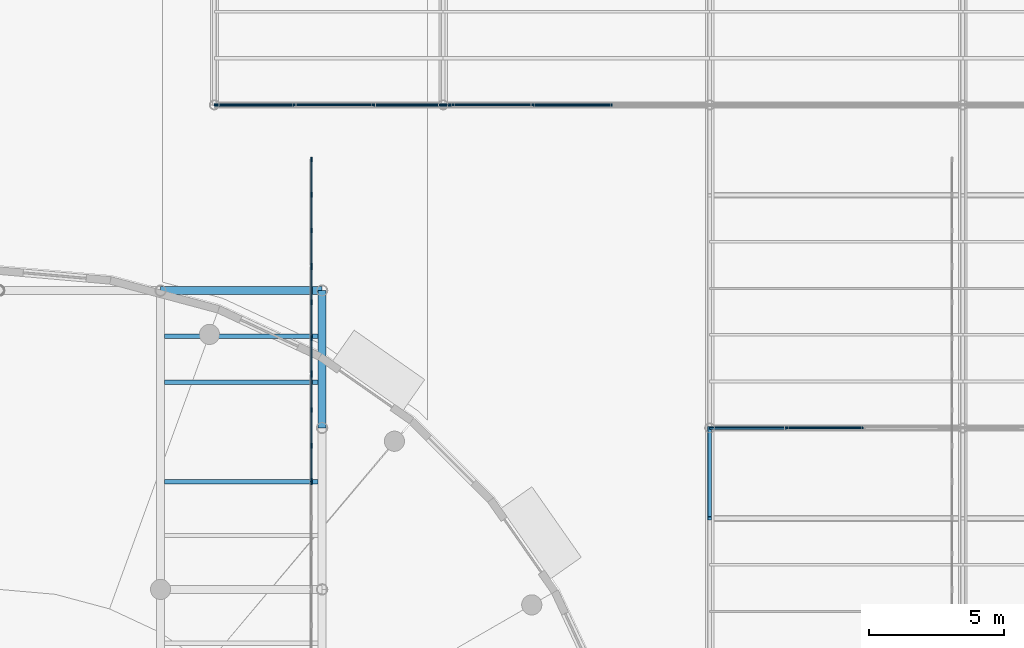
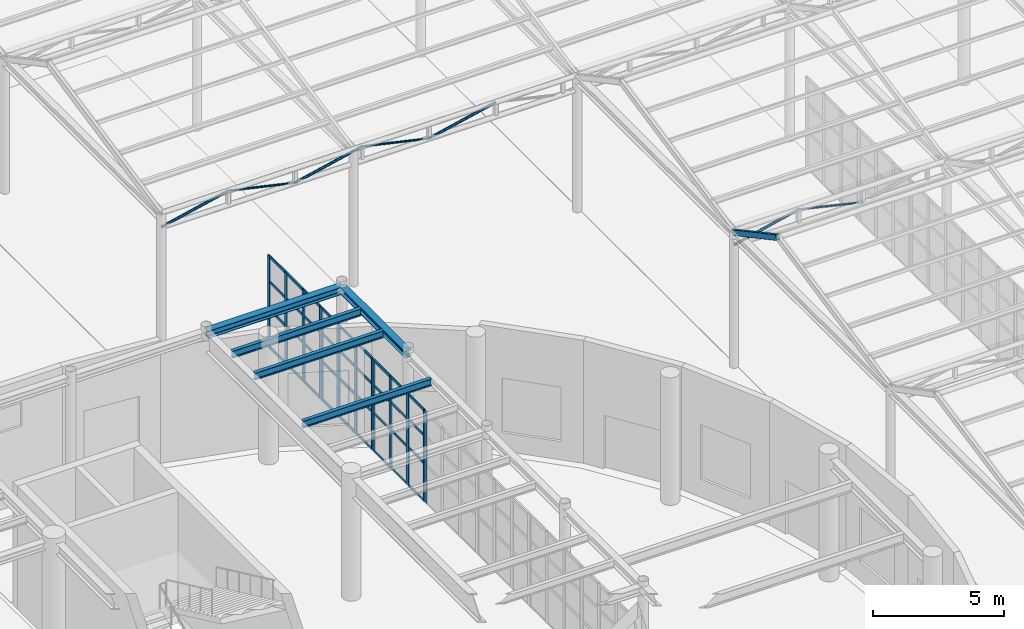
# One storey, part 44 of 118: 57 members, 5 beams, 4 elements without a shape of their own.
"""IFC4 building model written with IfcOpenShell, lengths in metres."""

import ifcopenshell
import ifcopenshell.guid

model = None  # the IFC model being written
_history = None  # IfcOwnerHistory: only IFC2X3 demands one
_inside = {}  # id of a spatial element -> (the spatial element, [elements in it])
_under = {}  # id of a project, library or spatial element -> (it, [spatial elements below it])
_declared = {}  # id of a project -> (the project, [libraries it declares])
_typed = {}  # id of a type object -> (the type object, [elements of that type])
_made_of = {}  # id of a material, layer set ... -> (it, [elements and type objects made of it])


def new_model(schema):
    """Start an empty IFC model of exactly this schema.

    Asked for "IFC4X3", IfcOpenShell would pick the latest addendum, in which some entities
    have other attributes; the version numbers below select the first issue.
    IFC2X3 requires an IfcOwnerHistory on every rooted entity: one is made here for all.
    """
    global model, _history
    if schema == "IFC4X3":
        model = ifcopenshell.file(schema_version=(4, 3, 0, 0))
    else:
        model = ifcopenshell.file(schema=schema)
    _inside.clear()
    _under.clear()
    _declared.clear()
    _typed.clear()
    _made_of.clear()
    _history = None
    if model.schema == "IFC2X3":
        org = make("IfcOrganization", Name="unknown")
        user = make(
            "IfcPersonAndOrganization",
            ThePerson=make("IfcPerson", FamilyName="unknown"),
            TheOrganization=org,
        )
        app = make(
            "IfcApplication",
            ApplicationDeveloper=org,
            Version="unknown",
            ApplicationFullName="unknown",
            ApplicationIdentifier="unknown",
        )
        _history = make(
            "IfcOwnerHistory",
            OwningUser=user,
            OwningApplication=app,
            ChangeAction="ADDED",
            CreationDate=0,
        )
    return model


def make(cls, **values):
    """One entity of the class cls with the attributes given. An attribute that is None is left unset."""
    return model.create_entity(
        cls, **{name: value for name, value in values.items() if value is not None}
    )


def rooted(cls, **values):
    """An entity with a GlobalId (a new one), such as an element, a storey or a relation."""
    return make(cls, GlobalId=ifcopenshell.guid.new(), OwnerHistory=_history, **values)


def si_unit(unit_type, name, prefix=None):
    """IfcSIUnit, for example si_unit("LENGTHUNIT", "METRE", prefix="MILLI")."""
    return make("IfcSIUnit", UnitType=unit_type, Prefix=prefix, Name=name)


def assignment(units):
    """IfcUnitAssignment: the units of a project."""
    return None if units is None else make("IfcUnitAssignment", Units=units)


def point(xyz):
    """IfcCartesianPoint."""
    return None if xyz is None else make("IfcCartesianPoint", Coordinates=xyz)


def direction(xyz):
    """IfcDirection."""
    return None if xyz is None else make("IfcDirection", DirectionRatios=xyz)


def frame(location, z_axis=None, x_axis=None):
    """IfcAxis2Placement3D, a coordinate frame: its origin and axes. An axis left out is left unset."""
    return make(
        "IfcAxis2Placement3D",
        Location=point(location),
        Axis=direction(z_axis),
        RefDirection=direction(x_axis),
    )


def frame_2d(location, x_axis=None):
    """IfcAxis2Placement2D, a coordinate frame in the plane: its origin and x axis."""
    return make(
        "IfcAxis2Placement2D", Location=point(location), RefDirection=direction(x_axis)
    )


def origin():
    """The frame at (0, 0, 0) with its axes left unset."""
    return frame((0.0, 0.0, 0.0))


def origin_2d():
    """The frame at (0, 0) in the plane with its x axis left unset."""
    return frame_2d((0.0, 0.0))


def place(relative_to, where):
    """IfcLocalPlacement: puts the frame where relative to a parent placement (None: the world)."""
    return make(
        "IfcLocalPlacement", PlacementRelTo=relative_to, RelativePlacement=where
    )


def context(
    kind, dimensions, precision=None, world=None, true_north=None, identifier=None
):
    """IfcGeometricRepresentationContext, for example the 3D "Model" context."""
    return make(
        "IfcGeometricRepresentationContext",
        ContextIdentifier=identifier,
        ContextType=kind,
        CoordinateSpaceDimension=dimensions,
        Precision=precision,
        WorldCoordinateSystem=world,
        TrueNorth=true_north,
    )


def subcontext(parent, identifier, kind, view, scale=None):
    """IfcGeometricRepresentationSubContext, for example "Body" below "Model"."""
    return make(
        "IfcGeometricRepresentationSubContext",
        ContextIdentifier=identifier,
        ContextType=kind,
        ParentContext=parent,
        TargetScale=scale,
        TargetView=view,
    )


def project(units=None, contexts=None):
    """IfcProject with its units and contexts."""
    return rooted(
        "IfcProject",
        Name="project",
        RepresentationContexts=contexts,
        UnitsInContext=assignment(units),
    )


def spatial(cls, under=None, at=None, **own):
    """A site, building, storey or space (cls), placed at a placement, below another one or the project."""
    s = rooted(cls, ObjectPlacement=at, **own)
    if under is not None:
        _under.setdefault(under.id(), (under, []))[1].append(s)
    return s


def profile(cls, at=None, kind="AREA", **sizes):
    """A parametric profile (cls). Its sizes go by their IFC names, for example OverallWidth=200.0."""
    return make(cls, ProfileType=kind, Position=at, **sizes)


def rectangle(**sizes):
    """IfcRectangleProfileDef."""
    return profile("IfcRectangleProfileDef", **sizes)


def hollow_rectangle(**sizes):
    """IfcRectangleHollowProfileDef."""
    return profile("IfcRectangleHollowProfileDef", **sizes)


def hollow_circle(**sizes):
    """IfcCircleHollowProfileDef."""
    return profile("IfcCircleHollowProfileDef", **sizes)


def i_section(**sizes):
    """IfcIShapeProfileDef."""
    return profile("IfcIShapeProfileDef", **sizes)


def extrude(swept, where, along, depth):
    """IfcExtrudedAreaSolid: the profile swept, set in the frame where, extruded along a direction by depth."""
    return make(
        "IfcExtrudedAreaSolid",
        SweptArea=swept,
        Position=where,
        ExtrudedDirection=direction(along),
        Depth=depth,
    )


def shape(context_of_items, identifier, shape_type, items):
    """IfcShapeRepresentation: the items that make up one representation, for example the "Body"."""
    return make(
        "IfcShapeRepresentation",
        ContextOfItems=context_of_items,
        RepresentationIdentifier=identifier,
        RepresentationType=shape_type,
        Items=items,
    )


def material(Name=None, Category=None):
    """IfcMaterial."""
    return make("IfcMaterial", Name=Name, Category=Category)


def material_profile(
    of_material, cross_section, Name=None, Category=None, Priority=None
):
    """IfcMaterialProfile: a cross section and its material."""
    return make(
        "IfcMaterialProfile",
        Name=Name,
        Material=of_material,
        Profile=cross_section,
        Priority=Priority,
        Category=Category,
    )


def profile_set(profiles, Name=None, composite=None):
    """IfcMaterialProfileSet."""
    return make(
        "IfcMaterialProfileSet",
        Name=Name,
        MaterialProfiles=profiles,
        CompositeProfile=composite,
    )


def made_of(thing, what):
    """Note that an element or type object is made of a material, layer set ...; save() writes the relation."""
    if what is not None:
        _made_of.setdefault(what.id(), (what, []))[1].append(thing)
    return thing


def type_object(cls, material=None, **own):
    """A type object (cls), such as IfcWallType, which elements share."""
    return made_of(rooted(cls, **own), material)


def element(
    cls,
    number,
    at=None,
    inside=None,
    cuts=None,
    type_object=None,
    material=None,
    context=None,
    identifier="Body",
    shape_type=None,
    held_by="IfcProductDefinitionShape",
    body=None,
    shapes=None,
    **own,
):
    """One element of the class cls, such as IfcWall. Its Tag is "e" and its number.

    at: its placement. inside: the storey or other place that contains it. cuts: it is an
    opening in that element (IfcRelVoidsElement). A single representation is given by context,
    identifier, shape_type and body (its items); several are given by shapes. held_by: the class
    of the entity that holds the representations. save() writes the other relations.
    """
    e = rooted(cls, Tag="e%d" % number, ObjectPlacement=at, **own)
    if body is not None:
        shapes = [shape(context, identifier, shape_type, body)]
    if shapes is not None:
        e.Representation = make(held_by, Representations=shapes)
    if inside is not None:
        _inside.setdefault(inside.id(), (inside, []))[1].append(e)
    if cuts is not None:
        rooted(
            "IfcRelVoidsElement", RelatingBuildingElement=cuts, RelatedOpeningElement=e
        )
    if type_object is not None:
        _typed.setdefault(type_object.id(), (type_object, []))[1].append(e)
    return made_of(e, material)


def aggregate(whole, parts):
    """IfcRelAggregates: a whole, such as a stair, and the parts it consists of."""
    return rooted("IfcRelAggregates", RelatingObject=whole, RelatedObjects=parts)


def save(model, path):
    """Write the relations noted so far, then the file.

    IfcRelAggregates (storeys below a building ...), IfcRelContainedInSpatialStructure (elements
    in a storey), IfcRelDefinesByType, IfcRelAssociatesMaterial and IfcRelDeclares: one each for
    every whole, place, type object, material and project.
    """
    for whole, parts in _under.values():
        aggregate(whole, parts)
    for where, things in _inside.values():
        rooted(
            "IfcRelContainedInSpatialStructure",
            RelatedElements=things,
            RelatingStructure=where,
        )
    for kind, things in _typed.values():
        rooted("IfcRelDefinesByType", RelatedObjects=things, RelatingType=kind)
    for what, things in _made_of.values():
        rooted("IfcRelAssociatesMaterial", RelatedObjects=things, RelatingMaterial=what)
    for by, libraries in _declared.values():
        rooted("IfcRelDeclares", RelatingContext=by, RelatedDefinitions=libraries)
    model.write(path)


model = new_model("IFC4")

# Units and contexts
model_context = context("Model", 3, precision=1e-05, world=origin(), true_north=direction((0.0, 1.0)))
body_context = subcontext(model_context, "Body", "Model", "MODEL_VIEW")
ifc_project = project(units=[si_unit("LENGTHUNIT", "METRE"), si_unit("AREAUNIT", "SQUARE_METRE"), si_unit("VOLUMEUNIT", "CUBIC_METRE"), si_unit("PLANEANGLEUNIT", "RADIAN"), si_unit("MASSUNIT", "GRAM", prefix="KILO")], contexts=[model_context])

# Site, building, storey
site_placement = place(None, origin())
site = spatial("IfcSite", under=ifc_project, at=site_placement, CompositionType="ELEMENT")
building_placement = place(site_placement, origin())
building = spatial("IfcBuilding", under=site, at=building_placement, Name="Kolvaren Corner Interchange", CompositionType="ELEMENT")
storey_placement = place(building_placement, origin())
storey = spatial("IfcBuildingStorey", under=building, at=storey_placement, Name="L01", CompositionType="ELEMENT", Elevation=0.0)

# Beams
ifc_material_1 = material(Name="Steel S355", Category="steel")
ifc_material_profile_1 = material_profile(ifc_material_1, i_section(OverallWidth=0.300048828125, OverallDepth=0.31005859375, WebThickness=0.009033203125, FlangeThickness=0.015380859375, FilletRadius=0.027099609375, at=origin_2d()), Name="HEA 320")
ifc_profile_set_1 = profile_set([ifc_material_profile_1], Name="Steel S355")
beam_type_1 = type_object("IfcBeamType", Name="BM-HEA320", PredefinedType="BEAM", material=ifc_profile_set_1)
beam_1_placement = place(storey_placement, frame((132.0, 66.0, 5.594970703125), z_axis=(0.0, 1.0, 0.0), x_axis=(-1.0, 0.0, 0.0)))
element("IfcBeam", 1, at=beam_1_placement, inside=storey, type_object=beam_type_1, Name="Storey L01 Grid Y Primary Girder 0376", PredefinedType="BEAM", context=body_context, shape_type="SweptSolid", body=[
    extrude(i_section(OverallWidth=0.300048828125, OverallDepth=0.31005859375, WebThickness=0.009033203125, FlangeThickness=0.015380859375, FilletRadius=0.027099609375, at=origin_2d()), origin(), (0.0, 0.0, 1.0), 5.10009765625),
])
ifc_material_2 = material(Name="Steel S355", Category="steel")
ifc_material_profile_2 = material_profile(ifc_material_2, i_section(OverallWidth=0.300048828125, OverallDepth=0.35009765625, WebThickness=0.010009765625, FlangeThickness=0.017578125, FilletRadius=0.027099609375, at=origin_2d()), Name="HEA 360")
ifc_profile_set_2 = profile_set([ifc_material_profile_2], Name="Steel S355")
beam_type_2 = type_object("IfcBeamType", Name="BM-HEA360", PredefinedType="BEAM", material=ifc_profile_set_2)
beam_2_placement = place(storey_placement, frame((126.0, 71.10009765625, 5.574951171875), z_axis=(1.0, 0.0, 0.0), x_axis=(0.0, 1.0, 0.0)))
element("IfcBeam", 2, at=beam_2_placement, inside=storey, type_object=beam_type_2, Name="Storey L01 Grid X Primary Girder 0294", PredefinedType="BEAM", context=body_context, shape_type="SweptSolid", body=[
    extrude(i_section(OverallWidth=0.300048828125, OverallDepth=0.35009765625, WebThickness=0.010009765625, FlangeThickness=0.017578125, FilletRadius=0.027099609375, at=origin_2d()), origin(), (0.0, 0.0, 1.0), 6.0),
])
ifc_material_3 = material(Name="Steel S355", Category="steel")
ifc_material_profile_3 = material_profile(ifc_material_3, i_section(OverallWidth=0.159912109375, OverallDepth=0.330078125, WebThickness=0.007568359375, FlangeThickness=0.011474609375, FilletRadius=0.01806640625, at=origin_2d()), Name="IPE 330")
ifc_profile_set_3 = profile_set([ifc_material_profile_3], Name="Steel S355")
beam_type_3 = type_object("IfcBeamType", Name="JS-IPE330", PredefinedType="JOIST", material=ifc_profile_set_3)
for number, where, z_axis, x_axis, name in (
    (3, (126.14990234375, 64.0, 5.5849609375), (1.0, 0.0, 0.0), (0.0, 1.0, 0.0), "Storey L01 Composite Floor Joist 0383"),
    (4, (126.14990234375, 67.699951171875, 5.5849609375), (1.0, 0.0, 0.0), (0.0, 1.0, 0.0), "Storey L01 Composite Floor Joist 0384"),
    (5, (126.14990234375, 69.39990234375, 5.5849609375), (1.0, 0.0, 0.0), (0.0, 1.0, 0.0), "Storey L01 Composite Floor Joist 0385"),
):
    element("IfcBeam", number, at=place(storey_placement, frame(where, z_axis=z_axis, x_axis=x_axis)), inside=storey, type_object=beam_type_3, Name=name, PredefinedType="JOIST", context=body_context, shape_type="SweptSolid", body=[
        extrude(i_section(OverallWidth=0.159912109375, OverallDepth=0.330078125, WebThickness=0.007568359375, FlangeThickness=0.011474609375, FilletRadius=0.01806640625, at=origin_2d()), origin(), (0.0, 0.0, 1.0), 5.7001953125),
    ])

# Members
ifc_material_4 = material(Name="Steel S355", Category="steel")
ifc_material_profile_4 = material_profile(ifc_material_4, hollow_circle(Radius=0.05712890625, WallThickness=0.00634765625, at=origin_2d()), Name="CHS 114.3x6.3")
ifc_profile_set_4 = profile_set([ifc_material_profile_4], Name="Steel S355")
member_type_1 = type_object("IfcMemberType", Name="MEM-BR-CHS114", PredefinedType="BRACE", material=ifc_profile_set_4)
member_1_placement = place(storey_placement, frame((146.39990234375, 66.0, 5.64990234375), z_axis=(0.973451058965, 0.0, 0.228895250716), x_axis=(0.0, 1.0, 0.0)))
element("IfcMember", 6, at=member_1_placement, inside=storey, type_object=member_type_1, Name="Bus Canopy Sawtooth Roof Truss 03 Web Diagonal 01", PredefinedType="BRACE", context=body_context, shape_type="SweptSolid", body=[
    extrude(hollow_circle(Radius=0.05712890625, WallThickness=0.00634765625, at=origin_2d()), origin(), (0.0, 0.0, 1.0), 2.927734375),
])
for number, where, z_axis, x_axis, name in (
    (7, (128.0, 78.0, 5.64990234375), (0.97528679841, 0.0, 0.220942664161), (0.0, 1.0, 0.0), "Bus Canopy Sawtooth Roof Truss 04 Web Diagonal 01"),
    (8, (133.916748046875, 78.0, 5.64990234375), (0.97528679841, 0.0, 0.220942664161), (0.0, 1.0, 0.0), "Bus Canopy Sawtooth Roof Truss 04 Web Diagonal 03"),
):
    element("IfcMember", number, at=place(storey_placement, frame(where, z_axis=z_axis, x_axis=x_axis)), inside=storey, type_object=member_type_1, Name=name, PredefinedType="BRACE", context=body_context, shape_type="SweptSolid", body=[
        extrude(hollow_circle(Radius=0.05712890625, WallThickness=0.00634765625, at=origin_2d()), origin(), (0.0, 0.0, 1.0), 3.033203125),
    ])
member_2_placement = place(storey_placement, frame((139.833251953125, 78.0, 5.64990234375), z_axis=(0.975290727078, 0.0, 0.220925321491), x_axis=(0.0, 1.0, 0.0)))
element("IfcMember", 9, at=member_2_placement, inside=storey, type_object=member_type_1, Name="Bus Canopy Sawtooth Roof Truss 04 Web Diagonal 05", PredefinedType="BRACE", context=body_context, shape_type="SweptSolid", body=[
    extrude(hollow_circle(Radius=0.05712890625, WallThickness=0.00634765625, at=origin_2d()), origin(), (0.0, 0.0, 1.0), 3.033447265625),
])
ifc_material_5 = material(Name="Steel S355", Category="steel")
ifc_material_profile_5 = material_profile(ifc_material_5, hollow_circle(Radius=0.04443359375, WallThickness=0.0048828125, at=origin_2d()), Name="CHS 88.9x5.0")
ifc_profile_set_5 = profile_set([ifc_material_profile_5], Name="Steel S355")
member_type_2 = type_object("IfcMemberType", Name="MEM-BR-CHS89", PredefinedType="BRACE", material=ifc_profile_set_5)
member_3_placement = place(storey_placement, frame((149.25, 66.0, 6.320068359375), z_axis=(0.973451058965, 0.0, -0.228895250716), x_axis=(0.0, 1.0, 0.0)))
element("IfcMember", 10, at=member_3_placement, inside=storey, type_object=member_type_2, Name="Bus Canopy Sawtooth Roof Truss 03 Web Diagonal 02", PredefinedType="BRACE", context=body_context, shape_type="SweptSolid", body=[
    extrude(hollow_circle(Radius=0.04443359375, WallThickness=0.0048828125, at=origin_2d()), origin(), (0.0, 0.0, 1.0), 2.927734375),
])
member_4_placement = place(storey_placement, frame((130.958251953125, 78.0, 6.320068359375), z_axis=(0.975290727078, 0.0, -0.220925321491), x_axis=(0.0, 1.0, 0.0)))
element("IfcMember", 11, at=member_4_placement, inside=storey, type_object=member_type_2, Name="Bus Canopy Sawtooth Roof Truss 04 Web Diagonal 02", PredefinedType="BRACE", context=body_context, shape_type="SweptSolid", body=[
    extrude(hollow_circle(Radius=0.04443359375, WallThickness=0.0048828125, at=origin_2d()), origin(), (0.0, 0.0, 1.0), 3.033447265625),
])
member_5_placement = place(storey_placement, frame((136.875, 78.0, 6.320068359375), z_axis=(0.97528679841, 0.0, -0.220942664161), x_axis=(0.0, 1.0, 0.0)))
element("IfcMember", 12, at=member_5_placement, inside=storey, type_object=member_type_2, Name="Bus Canopy Sawtooth Roof Truss 04 Web Diagonal 04", PredefinedType="BRACE", context=body_context, shape_type="SweptSolid", body=[
    extrude(hollow_circle(Radius=0.04443359375, WallThickness=0.0048828125, at=origin_2d()), origin(), (0.0, 0.0, 1.0), 3.033203125),
])
ifc_material_6 = material(Name="Steel S355", Category="steel")
ifc_material_profile_6 = material_profile(ifc_material_6, hollow_rectangle(XDim=0.14990234375, YDim=0.25, WallThickness=0.010009765625, InnerFilletRadius=0.010009765625, OuterFilletRadius=0.02001953125, at=origin_2d()), Name="RHS 250x150x10.0")
ifc_profile_set_6 = profile_set([ifc_material_profile_6], Name="Steel S355")
member_type_3 = type_object("IfcMemberType", Name="MEM-RF-RHS250", PredefinedType="RAFTER", material=ifc_profile_set_6)
member_6_placement = place(storey_placement, frame((146.39990234375, 62.639892578125, 8.050048828125), z_axis=(0.0, 0.881480922165, -0.47221963519), x_axis=(-1.0, 0.0, 0.0)))
element("IfcMember", 13, at=member_6_placement, inside=storey, type_object=member_type_3, Name="Bus Canopy Sawtooth North Rafter 02 Line 1", PredefinedType="RAFTER", context=body_context, shape_type="SweptSolid", body=[
    extrude(hollow_rectangle(XDim=0.14990234375, YDim=0.25, WallThickness=0.010009765625, InnerFilletRadius=0.010009765625, OuterFilletRadius=0.02001953125, at=origin_2d()), origin(), (0.0, 0.0, 1.0), 3.811767578125),
])

# Curtain wall, member
ifc_material_7 = material(Name="Unitised Aluminium and Solar-Control Glass Curtain Wall", Category="aluminium")
curtain_wall_type = type_object("IfcCurtainWallType", Name="CW-V4-BOARD", PredefinedType="NOTDEFINED", material=ifc_material_7)
curtain_wall_1_placement = place(storey_placement, origin())
curtain_wall_1 = element("IfcCurtainWall", 14, at=curtain_wall_1_placement, inside=storey, type_object=curtain_wall_type, Name="Bus Island West Boarding Curtain Wall Bay 09", PredefinedType="NOTDEFINED")
ifc_material_8 = material(Name="Anodised Aluminium Framing", Category="aluminium")
ifc_material_profile_7 = material_profile(ifc_material_8, rectangle(XDim=0.06005859375, YDim=0.179931640625, at=origin_2d()), Name="ALU 60x180")
ifc_profile_set_7 = profile_set([ifc_material_profile_7], Name="Anodised Aluminium Framing")
member_type_4 = type_object("IfcMemberType", Name="MUL-ALU60x180", PredefinedType="MULLION", material=ifc_profile_set_7)
member_7_placement = place(storey_placement, frame((131.60009765625, 63.969970703125, 0.0), z_axis=(0.0, 0.0, 1.0), x_axis=(-1.0, 0.0, 0.0)))
member_7 = element("IfcMember", 15, at=member_7_placement, type_object=member_type_4, Name="CW-134 mullion 4", PredefinedType="MULLION", context=body_context, shape_type="SweptSolid", body=[
    extrude(rectangle(XDim=0.06005859375, YDim=0.179931640625, at=origin_2d()), origin(), (0.0, 0.0, 1.0), 4.300048828125),
])
aggregate(curtain_wall_1, [member_7])

# Curtain wall, members
curtain_wall_2_placement = place(storey_placement, origin())
curtain_wall_2 = element("IfcCurtainWall", 16, at=curtain_wall_2_placement, inside=storey, type_object=curtain_wall_type, Name="Bus Island West Boarding Curtain Wall Bay 10", PredefinedType="NOTDEFINED")
member_8_placement = place(storey_placement, frame((131.60009765625, 64.030029296875, 0.0), z_axis=(0.0, 0.0, 1.0), x_axis=(-1.0, 0.0, 0.0)))
member_8 = element("IfcMember", 17, at=member_8_placement, type_object=member_type_4, Name="CW-135 mullion 1", PredefinedType="MULLION", context=body_context, shape_type="SweptSolid", body=[
    extrude(rectangle(XDim=0.06005859375, YDim=0.179931640625, at=origin_2d()), origin(), (0.0, 0.0, 1.0), 4.300048828125),
])
member_9_placement = place(storey_placement, frame((131.60009765625, 65.333251953125, 0.0), z_axis=(0.0, 0.0, 1.0), x_axis=(-1.0, 0.0, 0.0)))
member_9 = element("IfcMember", 18, at=member_9_placement, type_object=member_type_4, Name="CW-135 mullion 2", PredefinedType="MULLION", context=body_context, shape_type="SweptSolid", body=[
    extrude(rectangle(XDim=0.06005859375, YDim=0.179931640625, at=origin_2d()), origin(), (0.0, 0.0, 1.0), 4.300048828125),
])
member_10_placement = place(storey_placement, frame((131.60009765625, 66.666748046875, 0.0), z_axis=(0.0, 0.0, 1.0), x_axis=(-1.0, 0.0, 0.0)))
member_10 = element("IfcMember", 19, at=member_10_placement, type_object=member_type_4, Name="CW-135 mullion 3", PredefinedType="MULLION", context=body_context, shape_type="SweptSolid", body=[
    extrude(rectangle(XDim=0.06005859375, YDim=0.179931640625, at=origin_2d()), origin(), (0.0, 0.0, 1.0), 4.300048828125),
])
member_11_placement = place(storey_placement, frame((131.60009765625, 67.969970703125, 0.0), z_axis=(0.0, 0.0, 1.0), x_axis=(-1.0, 0.0, 0.0)))
member_11 = element("IfcMember", 20, at=member_11_placement, type_object=member_type_4, Name="CW-135 mullion 4", PredefinedType="MULLION", context=body_context, shape_type="SweptSolid", body=[
    extrude(rectangle(XDim=0.06005859375, YDim=0.179931640625, at=origin_2d()), origin(), (0.0, 0.0, 1.0), 4.300048828125),
])

curtain_wall_3_placement = place(storey_placement, origin())
curtain_wall_3 = element("IfcCurtainWall", 21, at=curtain_wall_3_placement, inside=storey, type_object=curtain_wall_type, Name="Bus Island West Boarding Curtain Wall Bay 11", PredefinedType="NOTDEFINED")
member_12_placement = place(storey_placement, frame((131.60009765625, 68.030029296875, 0.0), z_axis=(0.0, 0.0, 1.0), x_axis=(-1.0, 0.0, 0.0)))
member_12 = element("IfcMember", 22, at=member_12_placement, type_object=member_type_4, Name="CW-136 mullion 1", PredefinedType="MULLION", context=body_context, shape_type="SweptSolid", body=[
    extrude(rectangle(XDim=0.06005859375, YDim=0.179931640625, at=origin_2d()), origin(), (0.0, 0.0, 1.0), 4.300048828125),
])
member_13_placement = place(storey_placement, frame((131.60009765625, 69.333251953125, 0.0), z_axis=(0.0, 0.0, 1.0), x_axis=(-1.0, 0.0, 0.0)))
member_13 = element("IfcMember", 23, at=member_13_placement, type_object=member_type_4, Name="CW-136 mullion 2", PredefinedType="MULLION", context=body_context, shape_type="SweptSolid", body=[
    extrude(rectangle(XDim=0.06005859375, YDim=0.179931640625, at=origin_2d()), origin(), (0.0, 0.0, 1.0), 4.300048828125),
])
member_14_placement = place(storey_placement, frame((131.60009765625, 70.666748046875, 0.0), z_axis=(0.0, 0.0, 1.0), x_axis=(-1.0, 0.0, 0.0)))
member_14 = element("IfcMember", 24, at=member_14_placement, type_object=member_type_4, Name="CW-136 mullion 3", PredefinedType="MULLION", context=body_context, shape_type="SweptSolid", body=[
    extrude(rectangle(XDim=0.06005859375, YDim=0.179931640625, at=origin_2d()), origin(), (0.0, 0.0, 1.0), 4.300048828125),
])
member_15_placement = place(storey_placement, frame((131.60009765625, 71.969970703125, 0.0), z_axis=(0.0, 0.0, 1.0), x_axis=(-1.0, 0.0, 0.0)))
member_15 = element("IfcMember", 25, at=member_15_placement, type_object=member_type_4, Name="CW-136 mullion 4", PredefinedType="MULLION", context=body_context, shape_type="SweptSolid", body=[
    extrude(rectangle(XDim=0.06005859375, YDim=0.179931640625, at=origin_2d()), origin(), (0.0, 0.0, 1.0), 4.300048828125),
])

curtain_wall_4_placement = place(storey_placement, origin())
curtain_wall_4 = element("IfcCurtainWall", 26, at=curtain_wall_4_placement, inside=storey, type_object=curtain_wall_type, Name="Bus Island West Boarding Curtain Wall Bay 12", PredefinedType="NOTDEFINED")
member_16_placement = place(storey_placement, frame((131.60009765625, 72.030029296875, 0.0), z_axis=(0.0, 0.0, 1.0), x_axis=(-1.0, 0.0, 0.0)))
member_16 = element("IfcMember", 27, at=member_16_placement, type_object=member_type_4, Name="CW-137 mullion 1", PredefinedType="MULLION", context=body_context, shape_type="SweptSolid", body=[
    extrude(rectangle(XDim=0.06005859375, YDim=0.179931640625, at=origin_2d()), origin(), (0.0, 0.0, 1.0), 4.300048828125),
])
member_17_placement = place(storey_placement, frame((131.60009765625, 73.333251953125, 0.0), z_axis=(0.0, 0.0, 1.0), x_axis=(-1.0, 0.0, 0.0)))
member_17 = element("IfcMember", 28, at=member_17_placement, type_object=member_type_4, Name="CW-137 mullion 2", PredefinedType="MULLION", context=body_context, shape_type="SweptSolid", body=[
    extrude(rectangle(XDim=0.06005859375, YDim=0.179931640625, at=origin_2d()), origin(), (0.0, 0.0, 1.0), 4.300048828125),
])
member_18_placement = place(storey_placement, frame((131.60009765625, 74.666748046875, 0.0), z_axis=(0.0, 0.0, 1.0), x_axis=(-1.0, 0.0, 0.0)))
member_18 = element("IfcMember", 29, at=member_18_placement, type_object=member_type_4, Name="CW-137 mullion 3", PredefinedType="MULLION", context=body_context, shape_type="SweptSolid", body=[
    extrude(rectangle(XDim=0.06005859375, YDim=0.179931640625, at=origin_2d()), origin(), (0.0, 0.0, 1.0), 4.300048828125),
])
member_19_placement = place(storey_placement, frame((131.60009765625, 75.969970703125, 0.0), z_axis=(0.0, 0.0, 1.0), x_axis=(-1.0, 0.0, 0.0)))
member_19 = element("IfcMember", 30, at=member_19_placement, type_object=member_type_4, Name="CW-137 mullion 4", PredefinedType="MULLION", context=body_context, shape_type="SweptSolid", body=[
    extrude(rectangle(XDim=0.06005859375, YDim=0.179931640625, at=origin_2d()), origin(), (0.0, 0.0, 1.0), 4.300048828125),
])

# Member
ifc_material_9 = material(Name="Anodised Aluminium Framing", Category="aluminium")
ifc_material_profile_8 = material_profile(ifc_material_9, rectangle(XDim=0.054931640625, YDim=0.1201171875, at=origin_2d()), Name="ALU 55x120")
ifc_profile_set_8 = profile_set([ifc_material_profile_8], Name="Anodised Aluminium Framing")
member_type_5 = type_object("IfcMemberType", Name="TRN-ALU55x120", PredefinedType="USERDEFINED", material=ifc_profile_set_8)
member_20_placement = place(storey_placement, frame((131.60009765625, 64.06005859375, 0.027587890625), z_axis=(0.0, 1.0, 0.0), x_axis=(-1.0, 0.0, 0.0)))
member_20 = element("IfcMember", 31, at=member_20_placement, type_object=member_type_5, Name="CW-135 transom 1.1", ObjectType="TRANSOM", PredefinedType="USERDEFINED", context=body_context, shape_type="SweptSolid", body=[
    extrude(rectangle(XDim=0.054931640625, YDim=0.1201171875, at=origin_2d()), origin(), (0.0, 0.0, 1.0), 1.2431640625),
])

member_21_placement = place(storey_placement, frame((131.60009765625, 64.06005859375, 1.800048828125), z_axis=(0.0, 1.0, 0.0), x_axis=(-1.0, 0.0, 0.0)))
member_21 = element("IfcMember", 32, at=member_21_placement, type_object=member_type_5, Name="CW-135 transom 1.2", ObjectType="TRANSOM", PredefinedType="USERDEFINED", context=body_context, shape_type="SweptSolid", body=[
    extrude(rectangle(XDim=0.054931640625, YDim=0.1201171875, at=origin_2d()), origin(), (0.0, 0.0, 1.0), 1.2431640625),
])

member_22_placement = place(storey_placement, frame((131.60009765625, 64.06005859375, 3.10009765625), z_axis=(0.0, 1.0, 0.0), x_axis=(-1.0, 0.0, 0.0)))
member_22 = element("IfcMember", 33, at=member_22_placement, type_object=member_type_5, Name="CW-135 transom 1.3", ObjectType="TRANSOM", PredefinedType="USERDEFINED", context=body_context, shape_type="SweptSolid", body=[
    extrude(rectangle(XDim=0.054931640625, YDim=0.1201171875, at=origin_2d()), origin(), (0.0, 0.0, 1.0), 1.2431640625),
])

member_23_placement = place(storey_placement, frame((131.60009765625, 64.06005859375, 4.2724609375), z_axis=(0.0, 1.0, 0.0), x_axis=(-1.0, 0.0, 0.0)))
member_23 = element("IfcMember", 34, at=member_23_placement, type_object=member_type_5, Name="CW-135 transom 1.4", ObjectType="TRANSOM", PredefinedType="USERDEFINED", context=body_context, shape_type="SweptSolid", body=[
    extrude(rectangle(XDim=0.054931640625, YDim=0.1201171875, at=origin_2d()), origin(), (0.0, 0.0, 1.0), 1.2431640625),
])

member_24_placement = place(storey_placement, frame((131.60009765625, 65.36328125, 0.027587890625), z_axis=(0.0, 1.0, 0.0), x_axis=(-1.0, 0.0, 0.0)))
member_24 = element("IfcMember", 35, at=member_24_placement, type_object=member_type_5, Name="CW-135 transom 2.1", ObjectType="TRANSOM", PredefinedType="USERDEFINED", context=body_context, shape_type="SweptSolid", body=[
    extrude(rectangle(XDim=0.054931640625, YDim=0.1201171875, at=origin_2d()), origin(), (0.0, 0.0, 1.0), 1.2734375),
])

member_25_placement = place(storey_placement, frame((131.60009765625, 65.36328125, 1.800048828125), z_axis=(0.0, 1.0, 0.0), x_axis=(-1.0, 0.0, 0.0)))
member_25 = element("IfcMember", 36, at=member_25_placement, type_object=member_type_5, Name="CW-135 transom 2.2", ObjectType="TRANSOM", PredefinedType="USERDEFINED", context=body_context, shape_type="SweptSolid", body=[
    extrude(rectangle(XDim=0.054931640625, YDim=0.1201171875, at=origin_2d()), origin(), (0.0, 0.0, 1.0), 1.2734375),
])

member_26_placement = place(storey_placement, frame((131.60009765625, 65.36328125, 3.10009765625), z_axis=(0.0, 1.0, 0.0), x_axis=(-1.0, 0.0, 0.0)))
member_26 = element("IfcMember", 37, at=member_26_placement, type_object=member_type_5, Name="CW-135 transom 2.3", ObjectType="TRANSOM", PredefinedType="USERDEFINED", context=body_context, shape_type="SweptSolid", body=[
    extrude(rectangle(XDim=0.054931640625, YDim=0.1201171875, at=origin_2d()), origin(), (0.0, 0.0, 1.0), 1.2734375),
])

member_27_placement = place(storey_placement, frame((131.60009765625, 65.36328125, 4.2724609375), z_axis=(0.0, 1.0, 0.0), x_axis=(-1.0, 0.0, 0.0)))
member_27 = element("IfcMember", 38, at=member_27_placement, type_object=member_type_5, Name="CW-135 transom 2.4", ObjectType="TRANSOM", PredefinedType="USERDEFINED", context=body_context, shape_type="SweptSolid", body=[
    extrude(rectangle(XDim=0.054931640625, YDim=0.1201171875, at=origin_2d()), origin(), (0.0, 0.0, 1.0), 1.2734375),
])

member_28_placement = place(storey_placement, frame((131.60009765625, 66.69677734375, 0.027587890625), z_axis=(0.0, 1.0, 0.0), x_axis=(-1.0, 0.0, 0.0)))
member_28 = element("IfcMember", 39, at=member_28_placement, type_object=member_type_5, Name="CW-135 transom 3.1", ObjectType="TRANSOM", PredefinedType="USERDEFINED", context=body_context, shape_type="SweptSolid", body=[
    extrude(rectangle(XDim=0.054931640625, YDim=0.1201171875, at=origin_2d()), origin(), (0.0, 0.0, 1.0), 1.2431640625),
])

member_29_placement = place(storey_placement, frame((131.60009765625, 66.69677734375, 1.800048828125), z_axis=(0.0, 1.0, 0.0), x_axis=(-1.0, 0.0, 0.0)))
member_29 = element("IfcMember", 40, at=member_29_placement, type_object=member_type_5, Name="CW-135 transom 3.2", ObjectType="TRANSOM", PredefinedType="USERDEFINED", context=body_context, shape_type="SweptSolid", body=[
    extrude(rectangle(XDim=0.054931640625, YDim=0.1201171875, at=origin_2d()), origin(), (0.0, 0.0, 1.0), 1.2431640625),
])

member_30_placement = place(storey_placement, frame((131.60009765625, 66.69677734375, 3.10009765625), z_axis=(0.0, 1.0, 0.0), x_axis=(-1.0, 0.0, 0.0)))
member_30 = element("IfcMember", 41, at=member_30_placement, type_object=member_type_5, Name="CW-135 transom 3.3", ObjectType="TRANSOM", PredefinedType="USERDEFINED", context=body_context, shape_type="SweptSolid", body=[
    extrude(rectangle(XDim=0.054931640625, YDim=0.1201171875, at=origin_2d()), origin(), (0.0, 0.0, 1.0), 1.2431640625),
])

member_31_placement = place(storey_placement, frame((131.60009765625, 66.69677734375, 4.2724609375), z_axis=(0.0, 1.0, 0.0), x_axis=(-1.0, 0.0, 0.0)))
member_31 = element("IfcMember", 42, at=member_31_placement, type_object=member_type_5, Name="CW-135 transom 3.4", ObjectType="TRANSOM", PredefinedType="USERDEFINED", context=body_context, shape_type="SweptSolid", body=[
    extrude(rectangle(XDim=0.054931640625, YDim=0.1201171875, at=origin_2d()), origin(), (0.0, 0.0, 1.0), 1.2431640625),
])

aggregate(curtain_wall_2, [member_8, member_9, member_10, member_11, member_20, member_21, member_22, member_23, member_24, member_25, member_26, member_27, member_28, member_29, member_30, member_31])

member_32_placement = place(storey_placement, frame((131.60009765625, 68.06005859375, 0.027587890625), z_axis=(0.0, 1.0, 0.0), x_axis=(-1.0, 0.0, 0.0)))
member_32 = element("IfcMember", 43, at=member_32_placement, type_object=member_type_5, Name="CW-136 transom 1.1", ObjectType="TRANSOM", PredefinedType="USERDEFINED", context=body_context, shape_type="SweptSolid", body=[
    extrude(rectangle(XDim=0.054931640625, YDim=0.1201171875, at=origin_2d()), origin(), (0.0, 0.0, 1.0), 1.2431640625),
])

member_33_placement = place(storey_placement, frame((131.60009765625, 68.06005859375, 1.800048828125), z_axis=(0.0, 1.0, 0.0), x_axis=(-1.0, 0.0, 0.0)))
member_33 = element("IfcMember", 44, at=member_33_placement, type_object=member_type_5, Name="CW-136 transom 1.2", ObjectType="TRANSOM", PredefinedType="USERDEFINED", context=body_context, shape_type="SweptSolid", body=[
    extrude(rectangle(XDim=0.054931640625, YDim=0.1201171875, at=origin_2d()), origin(), (0.0, 0.0, 1.0), 1.2431640625),
])

member_34_placement = place(storey_placement, frame((131.60009765625, 68.06005859375, 3.10009765625), z_axis=(0.0, 1.0, 0.0), x_axis=(-1.0, 0.0, 0.0)))
member_34 = element("IfcMember", 45, at=member_34_placement, type_object=member_type_5, Name="CW-136 transom 1.3", ObjectType="TRANSOM", PredefinedType="USERDEFINED", context=body_context, shape_type="SweptSolid", body=[
    extrude(rectangle(XDim=0.054931640625, YDim=0.1201171875, at=origin_2d()), origin(), (0.0, 0.0, 1.0), 1.2431640625),
])

member_35_placement = place(storey_placement, frame((131.60009765625, 68.06005859375, 4.2724609375), z_axis=(0.0, 1.0, 0.0), x_axis=(-1.0, 0.0, 0.0)))
member_35 = element("IfcMember", 46, at=member_35_placement, type_object=member_type_5, Name="CW-136 transom 1.4", ObjectType="TRANSOM", PredefinedType="USERDEFINED", context=body_context, shape_type="SweptSolid", body=[
    extrude(rectangle(XDim=0.054931640625, YDim=0.1201171875, at=origin_2d()), origin(), (0.0, 0.0, 1.0), 1.2431640625),
])

member_36_placement = place(storey_placement, frame((131.60009765625, 69.36328125, 0.027587890625), z_axis=(0.0, 1.0, 0.0), x_axis=(-1.0, 0.0, 0.0)))
member_36 = element("IfcMember", 47, at=member_36_placement, type_object=member_type_5, Name="CW-136 transom 2.1", ObjectType="TRANSOM", PredefinedType="USERDEFINED", context=body_context, shape_type="SweptSolid", body=[
    extrude(rectangle(XDim=0.054931640625, YDim=0.1201171875, at=origin_2d()), origin(), (0.0, 0.0, 1.0), 1.2734375),
])

member_37_placement = place(storey_placement, frame((131.60009765625, 69.36328125, 1.800048828125), z_axis=(0.0, 1.0, 0.0), x_axis=(-1.0, 0.0, 0.0)))
member_37 = element("IfcMember", 48, at=member_37_placement, type_object=member_type_5, Name="CW-136 transom 2.2", ObjectType="TRANSOM", PredefinedType="USERDEFINED", context=body_context, shape_type="SweptSolid", body=[
    extrude(rectangle(XDim=0.054931640625, YDim=0.1201171875, at=origin_2d()), origin(), (0.0, 0.0, 1.0), 1.2734375),
])

member_38_placement = place(storey_placement, frame((131.60009765625, 69.36328125, 3.10009765625), z_axis=(0.0, 1.0, 0.0), x_axis=(-1.0, 0.0, 0.0)))
member_38 = element("IfcMember", 49, at=member_38_placement, type_object=member_type_5, Name="CW-136 transom 2.3", ObjectType="TRANSOM", PredefinedType="USERDEFINED", context=body_context, shape_type="SweptSolid", body=[
    extrude(rectangle(XDim=0.054931640625, YDim=0.1201171875, at=origin_2d()), origin(), (0.0, 0.0, 1.0), 1.2734375),
])

member_39_placement = place(storey_placement, frame((131.60009765625, 69.36328125, 4.2724609375), z_axis=(0.0, 1.0, 0.0), x_axis=(-1.0, 0.0, 0.0)))
member_39 = element("IfcMember", 50, at=member_39_placement, type_object=member_type_5, Name="CW-136 transom 2.4", ObjectType="TRANSOM", PredefinedType="USERDEFINED", context=body_context, shape_type="SweptSolid", body=[
    extrude(rectangle(XDim=0.054931640625, YDim=0.1201171875, at=origin_2d()), origin(), (0.0, 0.0, 1.0), 1.2734375),
])

member_40_placement = place(storey_placement, frame((131.60009765625, 70.69677734375, 0.027587890625), z_axis=(0.0, 1.0, 0.0), x_axis=(-1.0, 0.0, 0.0)))
member_40 = element("IfcMember", 51, at=member_40_placement, type_object=member_type_5, Name="CW-136 transom 3.1", ObjectType="TRANSOM", PredefinedType="USERDEFINED", context=body_context, shape_type="SweptSolid", body=[
    extrude(rectangle(XDim=0.054931640625, YDim=0.1201171875, at=origin_2d()), origin(), (0.0, 0.0, 1.0), 1.2431640625),
])

member_41_placement = place(storey_placement, frame((131.60009765625, 70.69677734375, 1.800048828125), z_axis=(0.0, 1.0, 0.0), x_axis=(-1.0, 0.0, 0.0)))
member_41 = element("IfcMember", 52, at=member_41_placement, type_object=member_type_5, Name="CW-136 transom 3.2", ObjectType="TRANSOM", PredefinedType="USERDEFINED", context=body_context, shape_type="SweptSolid", body=[
    extrude(rectangle(XDim=0.054931640625, YDim=0.1201171875, at=origin_2d()), origin(), (0.0, 0.0, 1.0), 1.2431640625),
])

member_42_placement = place(storey_placement, frame((131.60009765625, 70.69677734375, 3.10009765625), z_axis=(0.0, 1.0, 0.0), x_axis=(-1.0, 0.0, 0.0)))
member_42 = element("IfcMember", 53, at=member_42_placement, type_object=member_type_5, Name="CW-136 transom 3.3", ObjectType="TRANSOM", PredefinedType="USERDEFINED", context=body_context, shape_type="SweptSolid", body=[
    extrude(rectangle(XDim=0.054931640625, YDim=0.1201171875, at=origin_2d()), origin(), (0.0, 0.0, 1.0), 1.2431640625),
])

member_43_placement = place(storey_placement, frame((131.60009765625, 70.69677734375, 4.2724609375), z_axis=(0.0, 1.0, 0.0), x_axis=(-1.0, 0.0, 0.0)))
member_43 = element("IfcMember", 54, at=member_43_placement, type_object=member_type_5, Name="CW-136 transom 3.4", ObjectType="TRANSOM", PredefinedType="USERDEFINED", context=body_context, shape_type="SweptSolid", body=[
    extrude(rectangle(XDim=0.054931640625, YDim=0.1201171875, at=origin_2d()), origin(), (0.0, 0.0, 1.0), 1.2431640625),
])

aggregate(curtain_wall_3, [member_12, member_13, member_14, member_15, member_32, member_33, member_34, member_35, member_36, member_37, member_38, member_39, member_40, member_41, member_42, member_43])

member_44_placement = place(storey_placement, frame((131.60009765625, 72.06005859375, 0.027587890625), z_axis=(0.0, 1.0, 0.0), x_axis=(-1.0, 0.0, 0.0)))
member_44 = element("IfcMember", 55, at=member_44_placement, type_object=member_type_5, Name="CW-137 transom 1.1", ObjectType="TRANSOM", PredefinedType="USERDEFINED", context=body_context, shape_type="SweptSolid", body=[
    extrude(rectangle(XDim=0.054931640625, YDim=0.1201171875, at=origin_2d()), origin(), (0.0, 0.0, 1.0), 1.2431640625),
])

member_45_placement = place(storey_placement, frame((131.60009765625, 72.06005859375, 1.800048828125), z_axis=(0.0, 1.0, 0.0), x_axis=(-1.0, 0.0, 0.0)))
member_45 = element("IfcMember", 56, at=member_45_placement, type_object=member_type_5, Name="CW-137 transom 1.2", ObjectType="TRANSOM", PredefinedType="USERDEFINED", context=body_context, shape_type="SweptSolid", body=[
    extrude(rectangle(XDim=0.054931640625, YDim=0.1201171875, at=origin_2d()), origin(), (0.0, 0.0, 1.0), 1.2431640625),
])

member_46_placement = place(storey_placement, frame((131.60009765625, 72.06005859375, 3.10009765625), z_axis=(0.0, 1.0, 0.0), x_axis=(-1.0, 0.0, 0.0)))
member_46 = element("IfcMember", 57, at=member_46_placement, type_object=member_type_5, Name="CW-137 transom 1.3", ObjectType="TRANSOM", PredefinedType="USERDEFINED", context=body_context, shape_type="SweptSolid", body=[
    extrude(rectangle(XDim=0.054931640625, YDim=0.1201171875, at=origin_2d()), origin(), (0.0, 0.0, 1.0), 1.2431640625),
])

member_47_placement = place(storey_placement, frame((131.60009765625, 72.06005859375, 4.2724609375), z_axis=(0.0, 1.0, 0.0), x_axis=(-1.0, 0.0, 0.0)))
member_47 = element("IfcMember", 58, at=member_47_placement, type_object=member_type_5, Name="CW-137 transom 1.4", ObjectType="TRANSOM", PredefinedType="USERDEFINED", context=body_context, shape_type="SweptSolid", body=[
    extrude(rectangle(XDim=0.054931640625, YDim=0.1201171875, at=origin_2d()), origin(), (0.0, 0.0, 1.0), 1.2431640625),
])

member_48_placement = place(storey_placement, frame((131.60009765625, 73.36328125, 0.027587890625), z_axis=(0.0, 1.0, 0.0), x_axis=(-1.0, 0.0, 0.0)))
member_48 = element("IfcMember", 59, at=member_48_placement, type_object=member_type_5, Name="CW-137 transom 2.1", ObjectType="TRANSOM", PredefinedType="USERDEFINED", context=body_context, shape_type="SweptSolid", body=[
    extrude(rectangle(XDim=0.054931640625, YDim=0.1201171875, at=origin_2d()), origin(), (0.0, 0.0, 1.0), 1.2734375),
])

member_49_placement = place(storey_placement, frame((131.60009765625, 73.36328125, 1.800048828125), z_axis=(0.0, 1.0, 0.0), x_axis=(-1.0, 0.0, 0.0)))
member_49 = element("IfcMember", 60, at=member_49_placement, type_object=member_type_5, Name="CW-137 transom 2.2", ObjectType="TRANSOM", PredefinedType="USERDEFINED", context=body_context, shape_type="SweptSolid", body=[
    extrude(rectangle(XDim=0.054931640625, YDim=0.1201171875, at=origin_2d()), origin(), (0.0, 0.0, 1.0), 1.2734375),
])

member_50_placement = place(storey_placement, frame((131.60009765625, 73.36328125, 3.10009765625), z_axis=(0.0, 1.0, 0.0), x_axis=(-1.0, 0.0, 0.0)))
member_50 = element("IfcMember", 61, at=member_50_placement, type_object=member_type_5, Name="CW-137 transom 2.3", ObjectType="TRANSOM", PredefinedType="USERDEFINED", context=body_context, shape_type="SweptSolid", body=[
    extrude(rectangle(XDim=0.054931640625, YDim=0.1201171875, at=origin_2d()), origin(), (0.0, 0.0, 1.0), 1.2734375),
])

member_51_placement = place(storey_placement, frame((131.60009765625, 73.36328125, 4.2724609375), z_axis=(0.0, 1.0, 0.0), x_axis=(-1.0, 0.0, 0.0)))
member_51 = element("IfcMember", 62, at=member_51_placement, type_object=member_type_5, Name="CW-137 transom 2.4", ObjectType="TRANSOM", PredefinedType="USERDEFINED", context=body_context, shape_type="SweptSolid", body=[
    extrude(rectangle(XDim=0.054931640625, YDim=0.1201171875, at=origin_2d()), origin(), (0.0, 0.0, 1.0), 1.2734375),
])

member_52_placement = place(storey_placement, frame((131.60009765625, 74.69677734375, 0.027587890625), z_axis=(0.0, 1.0, 0.0), x_axis=(-1.0, 0.0, 0.0)))
member_52 = element("IfcMember", 63, at=member_52_placement, type_object=member_type_5, Name="CW-137 transom 3.1", ObjectType="TRANSOM", PredefinedType="USERDEFINED", context=body_context, shape_type="SweptSolid", body=[
    extrude(rectangle(XDim=0.054931640625, YDim=0.1201171875, at=origin_2d()), origin(), (0.0, 0.0, 1.0), 1.2431640625),
])

member_53_placement = place(storey_placement, frame((131.60009765625, 74.69677734375, 1.800048828125), z_axis=(0.0, 1.0, 0.0), x_axis=(-1.0, 0.0, 0.0)))
member_53 = element("IfcMember", 64, at=member_53_placement, type_object=member_type_5, Name="CW-137 transom 3.2", ObjectType="TRANSOM", PredefinedType="USERDEFINED", context=body_context, shape_type="SweptSolid", body=[
    extrude(rectangle(XDim=0.054931640625, YDim=0.1201171875, at=origin_2d()), origin(), (0.0, 0.0, 1.0), 1.2431640625),
])

member_54_placement = place(storey_placement, frame((131.60009765625, 74.69677734375, 3.10009765625), z_axis=(0.0, 1.0, 0.0), x_axis=(-1.0, 0.0, 0.0)))
member_54 = element("IfcMember", 65, at=member_54_placement, type_object=member_type_5, Name="CW-137 transom 3.3", ObjectType="TRANSOM", PredefinedType="USERDEFINED", context=body_context, shape_type="SweptSolid", body=[
    extrude(rectangle(XDim=0.054931640625, YDim=0.1201171875, at=origin_2d()), origin(), (0.0, 0.0, 1.0), 1.2431640625),
])

member_55_placement = place(storey_placement, frame((131.60009765625, 74.69677734375, 4.2724609375), z_axis=(0.0, 1.0, 0.0), x_axis=(-1.0, 0.0, 0.0)))
member_55 = element("IfcMember", 66, at=member_55_placement, type_object=member_type_5, Name="CW-137 transom 3.4", ObjectType="TRANSOM", PredefinedType="USERDEFINED", context=body_context, shape_type="SweptSolid", body=[
    extrude(rectangle(XDim=0.054931640625, YDim=0.1201171875, at=origin_2d()), origin(), (0.0, 0.0, 1.0), 1.2431640625),
])

aggregate(curtain_wall_4, [member_16, member_17, member_18, member_19, member_44, member_45, member_46, member_47, member_48, member_49, member_50, member_51, member_52, member_53, member_54, member_55])

save(model, "model.ifc")
